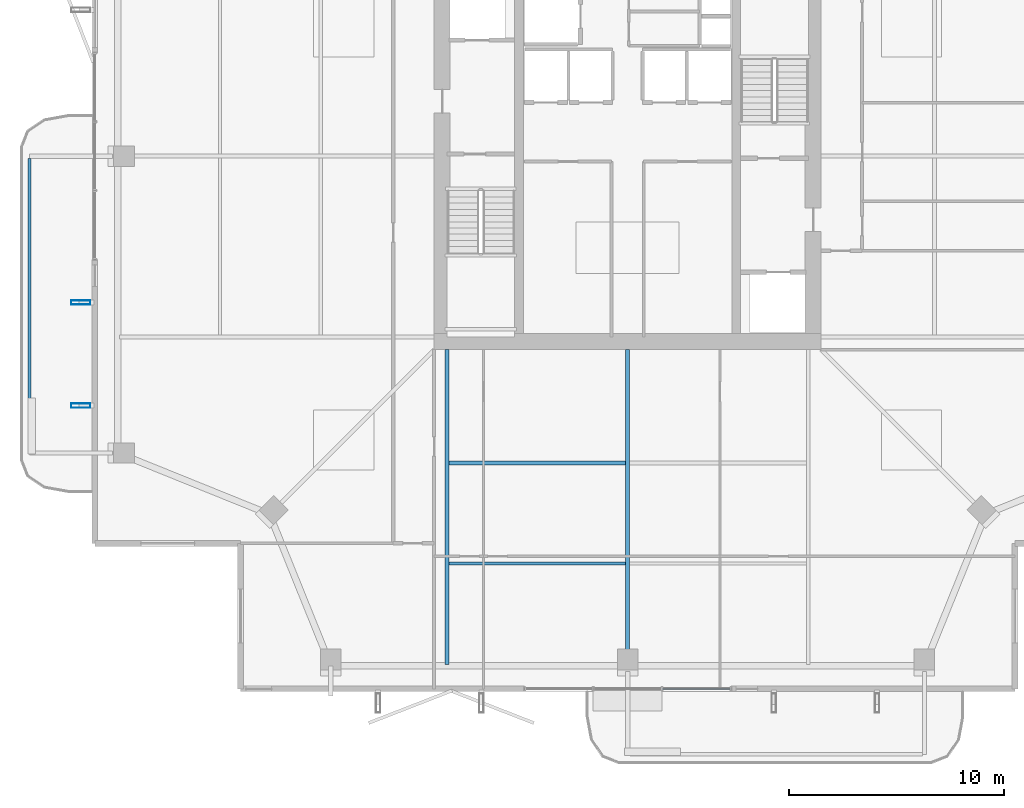
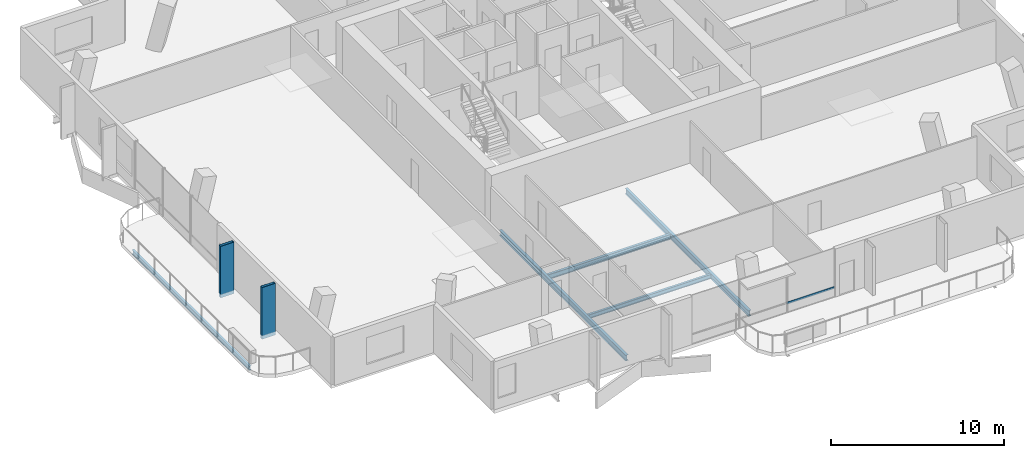
# One storey, part 3 of 25: 5 beams, 3 members, 1 element without a shape of its own.
"""IFC4 building model written with IfcOpenShell, lengths in metres."""

import ifcopenshell
import ifcopenshell.guid

model = None  # the IFC model being written
_history = None  # IfcOwnerHistory: only IFC2X3 demands one
_inside = {}  # id of a spatial element -> (the spatial element, [elements in it])
_under = {}  # id of a project, library or spatial element -> (it, [spatial elements below it])
_declared = {}  # id of a project -> (the project, [libraries it declares])
_typed = {}  # id of a type object -> (the type object, [elements of that type])
_made_of = {}  # id of a material, layer set ... -> (it, [elements and type objects made of it])


def new_model(schema):
    """Start an empty IFC model of exactly this schema.

    Asked for "IFC4X3", IfcOpenShell would pick the latest addendum, in which some entities
    have other attributes; the version numbers below select the first issue.
    IFC2X3 requires an IfcOwnerHistory on every rooted entity: one is made here for all.
    """
    global model, _history
    if schema == "IFC4X3":
        model = ifcopenshell.file(schema_version=(4, 3, 0, 0))
    else:
        model = ifcopenshell.file(schema=schema)
    _inside.clear()
    _under.clear()
    _declared.clear()
    _typed.clear()
    _made_of.clear()
    _history = None
    if model.schema == "IFC2X3":
        org = make("IfcOrganization", Name="unknown")
        user = make(
            "IfcPersonAndOrganization",
            ThePerson=make("IfcPerson", FamilyName="unknown"),
            TheOrganization=org,
        )
        app = make(
            "IfcApplication",
            ApplicationDeveloper=org,
            Version="unknown",
            ApplicationFullName="unknown",
            ApplicationIdentifier="unknown",
        )
        _history = make(
            "IfcOwnerHistory",
            OwningUser=user,
            OwningApplication=app,
            ChangeAction="ADDED",
            CreationDate=0,
        )
    return model


def make(cls, **values):
    """One entity of the class cls with the attributes given. An attribute that is None is left unset."""
    return model.create_entity(
        cls, **{name: value for name, value in values.items() if value is not None}
    )


def rooted(cls, **values):
    """An entity with a GlobalId (a new one), such as an element, a storey or a relation."""
    return make(cls, GlobalId=ifcopenshell.guid.new(), OwnerHistory=_history, **values)


def si_unit(unit_type, name, prefix=None):
    """IfcSIUnit, for example si_unit("LENGTHUNIT", "METRE", prefix="MILLI")."""
    return make("IfcSIUnit", UnitType=unit_type, Prefix=prefix, Name=name)


def assignment(units):
    """IfcUnitAssignment: the units of a project."""
    return None if units is None else make("IfcUnitAssignment", Units=units)


def point(xyz):
    """IfcCartesianPoint."""
    return None if xyz is None else make("IfcCartesianPoint", Coordinates=xyz)


def direction(xyz):
    """IfcDirection."""
    return None if xyz is None else make("IfcDirection", DirectionRatios=xyz)


def frame(location, z_axis=None, x_axis=None):
    """IfcAxis2Placement3D, a coordinate frame: its origin and axes. An axis left out is left unset."""
    return make(
        "IfcAxis2Placement3D",
        Location=point(location),
        Axis=direction(z_axis),
        RefDirection=direction(x_axis),
    )


def frame_2d(location, x_axis=None):
    """IfcAxis2Placement2D, a coordinate frame in the plane: its origin and x axis."""
    return make(
        "IfcAxis2Placement2D", Location=point(location), RefDirection=direction(x_axis)
    )


def origin():
    """The frame at (0, 0, 0) with its axes left unset."""
    return frame((0.0, 0.0, 0.0))


def origin_2d():
    """The frame at (0, 0) in the plane with its x axis left unset."""
    return frame_2d((0.0, 0.0))


def place(relative_to, where):
    """IfcLocalPlacement: puts the frame where relative to a parent placement (None: the world)."""
    return make(
        "IfcLocalPlacement", PlacementRelTo=relative_to, RelativePlacement=where
    )


def context(
    kind, dimensions, precision=None, world=None, true_north=None, identifier=None
):
    """IfcGeometricRepresentationContext, for example the 3D "Model" context."""
    return make(
        "IfcGeometricRepresentationContext",
        ContextIdentifier=identifier,
        ContextType=kind,
        CoordinateSpaceDimension=dimensions,
        Precision=precision,
        WorldCoordinateSystem=world,
        TrueNorth=true_north,
    )


def subcontext(parent, identifier, kind, view, scale=None):
    """IfcGeometricRepresentationSubContext, for example "Body" below "Model"."""
    return make(
        "IfcGeometricRepresentationSubContext",
        ContextIdentifier=identifier,
        ContextType=kind,
        ParentContext=parent,
        TargetScale=scale,
        TargetView=view,
    )


def project(units=None, contexts=None):
    """IfcProject with its units and contexts."""
    return rooted(
        "IfcProject",
        Name="project",
        RepresentationContexts=contexts,
        UnitsInContext=assignment(units),
    )


def spatial(cls, under=None, at=None, **own):
    """A site, building, storey or space (cls), placed at a placement, below another one or the project."""
    s = rooted(cls, ObjectPlacement=at, **own)
    if under is not None:
        _under.setdefault(under.id(), (under, []))[1].append(s)
    return s


def profile(cls, at=None, kind="AREA", **sizes):
    """A parametric profile (cls). Its sizes go by their IFC names, for example OverallWidth=200.0."""
    return make(cls, ProfileType=kind, Position=at, **sizes)


def hollow_rectangle(**sizes):
    """IfcRectangleHollowProfileDef."""
    return profile("IfcRectangleHollowProfileDef", **sizes)


def i_section(**sizes):
    """IfcIShapeProfileDef."""
    return profile("IfcIShapeProfileDef", **sizes)


def extrude(swept, where, along, depth):
    """IfcExtrudedAreaSolid: the profile swept, set in the frame where, extruded along a direction by depth."""
    return make(
        "IfcExtrudedAreaSolid",
        SweptArea=swept,
        Position=where,
        ExtrudedDirection=direction(along),
        Depth=depth,
    )


def shape(context_of_items, identifier, shape_type, items):
    """IfcShapeRepresentation: the items that make up one representation, for example the "Body"."""
    return make(
        "IfcShapeRepresentation",
        ContextOfItems=context_of_items,
        RepresentationIdentifier=identifier,
        RepresentationType=shape_type,
        Items=items,
    )


def material(Name=None, Category=None):
    """IfcMaterial."""
    return make("IfcMaterial", Name=Name, Category=Category)


def layer(
    of_material, thickness, ventilated=None, Name=None, Category=None, Priority=None
):
    """IfcMaterialLayer: one layer of a wall or slab, of a material (None: an air gap)."""
    return make(
        "IfcMaterialLayer",
        Material=of_material,
        LayerThickness=thickness,
        IsVentilated=ventilated,
        Name=Name,
        Category=Category,
        Priority=Priority,
    )


def layer_set(layers, Name=None):
    """IfcMaterialLayerSet."""
    return make("IfcMaterialLayerSet", MaterialLayers=layers, LayerSetName=Name)


def material_profile(
    of_material, cross_section, Name=None, Category=None, Priority=None
):
    """IfcMaterialProfile: a cross section and its material."""
    return make(
        "IfcMaterialProfile",
        Name=Name,
        Material=of_material,
        Profile=cross_section,
        Priority=Priority,
        Category=Category,
    )


def profile_set(profiles, Name=None, composite=None):
    """IfcMaterialProfileSet."""
    return make(
        "IfcMaterialProfileSet",
        Name=Name,
        MaterialProfiles=profiles,
        CompositeProfile=composite,
    )


def made_of(thing, what):
    """Note that an element or type object is made of a material, layer set ...; save() writes the relation."""
    if what is not None:
        _made_of.setdefault(what.id(), (what, []))[1].append(thing)
    return thing


def type_object(cls, material=None, **own):
    """A type object (cls), such as IfcWallType, which elements share."""
    return made_of(rooted(cls, **own), material)


def element(
    cls,
    number,
    at=None,
    inside=None,
    cuts=None,
    type_object=None,
    material=None,
    context=None,
    identifier="Body",
    shape_type=None,
    held_by="IfcProductDefinitionShape",
    body=None,
    shapes=None,
    **own,
):
    """One element of the class cls, such as IfcWall. Its Tag is "e" and its number.

    at: its placement. inside: the storey or other place that contains it. cuts: it is an
    opening in that element (IfcRelVoidsElement). A single representation is given by context,
    identifier, shape_type and body (its items); several are given by shapes. held_by: the class
    of the entity that holds the representations. save() writes the other relations.
    """
    e = rooted(cls, Tag="e%d" % number, ObjectPlacement=at, **own)
    if body is not None:
        shapes = [shape(context, identifier, shape_type, body)]
    if shapes is not None:
        e.Representation = make(held_by, Representations=shapes)
    if inside is not None:
        _inside.setdefault(inside.id(), (inside, []))[1].append(e)
    if cuts is not None:
        rooted(
            "IfcRelVoidsElement", RelatingBuildingElement=cuts, RelatedOpeningElement=e
        )
    if type_object is not None:
        _typed.setdefault(type_object.id(), (type_object, []))[1].append(e)
    return made_of(e, material)


def aggregate(whole, parts):
    """IfcRelAggregates: a whole, such as a stair, and the parts it consists of."""
    return rooted("IfcRelAggregates", RelatingObject=whole, RelatedObjects=parts)


def save(model, path):
    """Write the relations noted so far, then the file.

    IfcRelAggregates (storeys below a building ...), IfcRelContainedInSpatialStructure (elements
    in a storey), IfcRelDefinesByType, IfcRelAssociatesMaterial and IfcRelDeclares: one each for
    every whole, place, type object, material and project.
    """
    for whole, parts in _under.values():
        aggregate(whole, parts)
    for where, things in _inside.values():
        rooted(
            "IfcRelContainedInSpatialStructure",
            RelatedElements=things,
            RelatingStructure=where,
        )
    for kind, things in _typed.values():
        rooted("IfcRelDefinesByType", RelatedObjects=things, RelatingType=kind)
    for what, things in _made_of.values():
        rooted("IfcRelAssociatesMaterial", RelatedObjects=things, RelatingMaterial=what)
    for by, libraries in _declared.values():
        rooted("IfcRelDeclares", RelatingContext=by, RelatedDefinitions=libraries)
    model.write(path)


model = new_model("IFC4")

# Units and contexts
model_context = context("Model", 3, precision=1e-05, world=origin(), true_north=direction((0.0, 1.0)))
body_context = subcontext(model_context, "Body", "Model", "MODEL_VIEW")
ifc_project = project(units=[si_unit("LENGTHUNIT", "METRE"), si_unit("AREAUNIT", "SQUARE_METRE"), si_unit("VOLUMEUNIT", "CUBIC_METRE"), si_unit("PLANEANGLEUNIT", "RADIAN"), si_unit("MASSUNIT", "GRAM", prefix="KILO")], contexts=[model_context])

# Site, building, storey
site_placement = place(None, origin())
site = spatial("IfcSite", under=ifc_project, at=site_placement, CompositionType="ELEMENT")
building_placement = place(site_placement, origin())
building = spatial("IfcBuilding", under=site, at=building_placement, Name="Belovzor Exchange Tower", CompositionType="ELEMENT")
storey_placement = place(building_placement, frame((0.0, 0.0, 280.35009765625)))
storey = spatial("IfcBuildingStorey", under=building, at=storey_placement, Name="L70", CompositionType="ELEMENT", Elevation=280.35009765625)

# Beams
ifc_material_1 = material(Name="Steel S355", Category="steel")
ifc_material_profile_1 = material_profile(ifc_material_1, i_section(OverallWidth=0.14990234375, OverallDepth=0.300048828125, WebThickness=0.007080078125, FlangeThickness=0.0107421875, at=origin_2d()))
ifc_profile_set_1 = profile_set([ifc_material_profile_1], Name="Steel S355")
beam_type_1 = type_object("IfcBeamType", Name="Planted Balcony Fascia Edge Beam IPE 300", PredefinedType="BEAM", material=ifc_profile_set_1)
beam_1_placement = place(storey_placement, frame((0.989013671875, 28.699951171875, -0.400146484375), z_axis=(0.0, -1.0, 0.0), x_axis=(1.0, 0.0, 0.0)))
element("IfcBeam", 1, at=beam_1_placement, inside=storey, type_object=beam_type_1, Name="BC-300 Planted Balcony Fascia Edge Beam IPE 300", PredefinedType="BEAM", context=body_context, shape_type="SweptSolid", body=[
    extrude(i_section(OverallWidth=0.14990234375, OverallDepth=0.300048828125, WebThickness=0.007080078125, FlangeThickness=0.0107421875, at=origin_2d()), origin(), (0.0, 0.0, 1.0), 13.599853515625),
])
ifc_material_2 = material(Name="Steel S355", Category="steel")
ifc_material_profile_2 = material_profile(ifc_material_2, i_section(OverallWidth=0.169921875, OverallDepth=0.360107421875, WebThickness=0.008056640625, FlangeThickness=0.0126953125, at=origin_2d()))
ifc_profile_set_2 = profile_set([ifc_material_profile_2], Name="Steel S355")
beam_type_2 = type_object("IfcBeamType", Name="Secondary Infill Floor Joist IPE 360", PredefinedType="BEAM", material=ifc_profile_set_2)
beam_2_placement = place(storey_placement, frame((20.489990234375, 14.534912109375, -0.43017578125), z_axis=(1.0, 0.0, 0.0), x_axis=(0.0, 1.0, 0.0)))
element("IfcBeam", 2, at=beam_2_placement, inside=storey, type_object=beam_type_2, Name="FJ-360 Secondary Infill Floor Joist IPE 360", PredefinedType="BEAM", context=body_context, shape_type="SweptSolid", body=[
    extrude(i_section(OverallWidth=0.169921875, OverallDepth=0.360107421875, WebThickness=0.008056640625, FlangeThickness=0.0126953125, at=origin_2d()), origin(), (0.0, 0.0, 1.0), 8.219970703125),
])
ifc_material_3 = material(Name="Steel S355", Category="steel")
ifc_material_profile_3 = material_profile(ifc_material_3, i_section(OverallWidth=0.14990234375, OverallDepth=0.300048828125, WebThickness=0.007080078125, FlangeThickness=0.0107421875, at=origin_2d()))
ifc_profile_set_3 = profile_set([ifc_material_profile_3], Name="Steel S355")
beam_type_3 = type_object("IfcBeamType", Name="Secondary Trim Floor Joist IPE 300", PredefinedType="BEAM", material=ifc_profile_set_3)
beam_3_placement = place(storey_placement, frame((20.489990234375, 9.85498046875, -0.400146484375), z_axis=(1.0, 0.0, 0.0), x_axis=(0.0, 1.0, 0.0)))
element("IfcBeam", 3, at=beam_3_placement, inside=storey, type_object=beam_type_3, Name="FJ-300 Secondary Trim Floor Joist IPE 300", PredefinedType="BEAM", context=body_context, shape_type="SweptSolid", body=[
    extrude(i_section(OverallWidth=0.14990234375, OverallDepth=0.300048828125, WebThickness=0.007080078125, FlangeThickness=0.0107421875, at=origin_2d()), origin(), (0.0, 0.0, 1.0), 8.219970703125),
])

# Members
ifc_material_4 = material(Name="Extruded Architectural Terracotta on Steel S355 Carrier", Category="masonry")
ifc_material_profile_4 = material_profile(ifc_material_4, hollow_rectangle(XDim=0.199951171875, YDim=0.89990234375, WallThickness=0.011962890625, at=origin_2d()))
ifc_profile_set_4 = profile_set([ifc_material_profile_4], Name="Extruded Architectural Terracotta on Steel S355 Carrier")
member_type_1 = type_object("IfcMemberType", Name="Sweeping Terracotta Baguette Fin Assembly 950", PredefinedType="USERDEFINED", material=ifc_profile_set_4)
for number, where, z_axis, x_axis, name in (
    (4, (3.375, 17.199951171875, -0.25), (0.0, 0.0, 1.0), (0.0, 1.0, 0.0), "FIN-TC095 Terracotta Facade Fin L70 W1"),
    (5, (3.375, 22.0, -0.25), (0.0, 0.0, 1.0), (0.0, 1.0, 0.0), "FIN-TC095 Terracotta Facade Fin L70 W2"),
):
    element("IfcMember", number, at=place(storey_placement, frame(where, z_axis=z_axis, x_axis=x_axis)), inside=storey, type_object=member_type_1, Name=name, ObjectType="FIN", PredefinedType="USERDEFINED", context=body_context, shape_type="SweptSolid", body=[
        extrude(hollow_rectangle(XDim=0.199951171875, YDim=0.89990234375, WallThickness=0.011962890625, at=origin_2d()), origin(), (0.0, 0.0, 1.0), 3.639892578125),
    ])

# Curtain wall, member
ifc_material_5 = material(Name="Anodised Aluminium Framing", Category="aluminium")
ifc_layer = layer(ifc_material_5, 0.179931640625)
ifc_layer_set = layer_set([ifc_layer], Name="Anodised Aluminium Framing")
curtain_wall_type = type_object("IfcCurtainWallType", Name="Recessed Loggia Low-Iron Triple-Glazed Curtain Wall", PredefinedType="NOTDEFINED", material=ifc_layer_set)
curtain_wall_placement = place(storey_placement, origin())
curtain_wall = element("IfcCurtainWall", 6, at=curtain_wall_placement, inside=storey, type_object=curtain_wall_type, Name="CW3 Recessed Loggia Low-Iron Triple-Glazed Curtain Wall L70", PredefinedType="NOTDEFINED")
ifc_material_6 = material(Name="Steel S355", Category="steel")
ifc_material_profile_5 = material_profile(ifc_material_6, hollow_rectangle(XDim=0.06005859375, YDim=0.14990234375, WallThickness=0.00390625, at=origin_2d()))
ifc_profile_set_5 = profile_set([ifc_material_profile_5], Name="Steel S355")
member_type_2 = type_object("IfcMemberType", Name="Thermally Broken Curtain Wall Transom 150x60", PredefinedType="USERDEFINED", material=ifc_profile_set_5)
member_placement = place(storey_placement, frame((33.592041015625, 4.030029296875, 0.60986328125), z_axis=(-1.0, 0.0, 0.0), x_axis=(0.0, -1.0, 0.0)))
member = element("IfcMember", 7, at=member_placement, type_object=member_type_2, Name="CW-T150 Curtain Wall Transom 1", ObjectType="TRANSOM", PredefinedType="USERDEFINED", context=body_context, shape_type="SweptSolid", body=[
    extrude(hollow_rectangle(XDim=0.06005859375, YDim=0.14990234375, WallThickness=0.00390625, at=origin_2d()), origin(), (0.0, 0.0, 1.0), 3.18408203125),
])
aggregate(curtain_wall, [member])

# Beams
ifc_material_7 = material(Name="Steel S355", Category="steel")
ifc_material_profile_6 = material_profile(ifc_material_7, i_section(OverallWidth=0.179931640625, OverallDepth=0.39990234375, WebThickness=0.008544921875, FlangeThickness=0.013427734375, at=origin_2d()))
ifc_profile_set_6 = profile_set([ifc_material_profile_6], Name="Steel S355")
beam_type_4 = type_object("IfcBeamType", Name="Zone 5-6 Radial Composite Floor Beam IPE 400", PredefinedType="BEAM", material=ifc_profile_set_6)
beam_4_placement = place(storey_placement, frame((20.39990234375, 19.800048828125, -0.4501953125), z_axis=(0.0, -1.0, 0.0), x_axis=(1.0, 0.0, 0.0)))
element("IfcBeam", 8, at=beam_4_placement, inside=storey, type_object=beam_type_4, Name="FB-400 Zone 5-6 Radial Composite Floor Beam IPE 400", PredefinedType="BEAM", context=body_context, shape_type="SweptSolid", body=[
    extrude(i_section(OverallWidth=0.179931640625, OverallDepth=0.39990234375, WebThickness=0.008544921875, FlangeThickness=0.013427734375, at=origin_2d()), origin(), (0.0, 0.0, 1.0), 14.625),
])
beam_5_placement = place(storey_placement, frame((28.800048828125, 19.800048828125, -0.4501953125), z_axis=(0.0, -1.0, 0.0), x_axis=(1.0, 0.0, 0.0)))
element("IfcBeam", 9, at=beam_5_placement, inside=storey, type_object=beam_type_4, Name="FB-400 Zone 5-6 Radial Composite Floor Beam IPE 400", PredefinedType="BEAM", context=body_context, shape_type="SweptSolid", body=[
    extrude(i_section(OverallWidth=0.179931640625, OverallDepth=0.39990234375, WebThickness=0.008544921875, FlangeThickness=0.013427734375, at=origin_2d()), origin(), (0.0, 0.0, 1.0), 14.281982421875),
])

save(model, "model.ifc")
